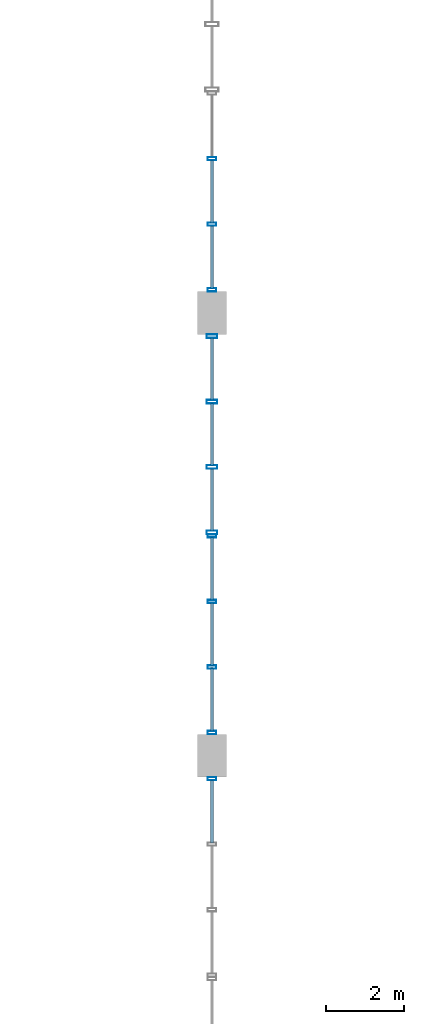
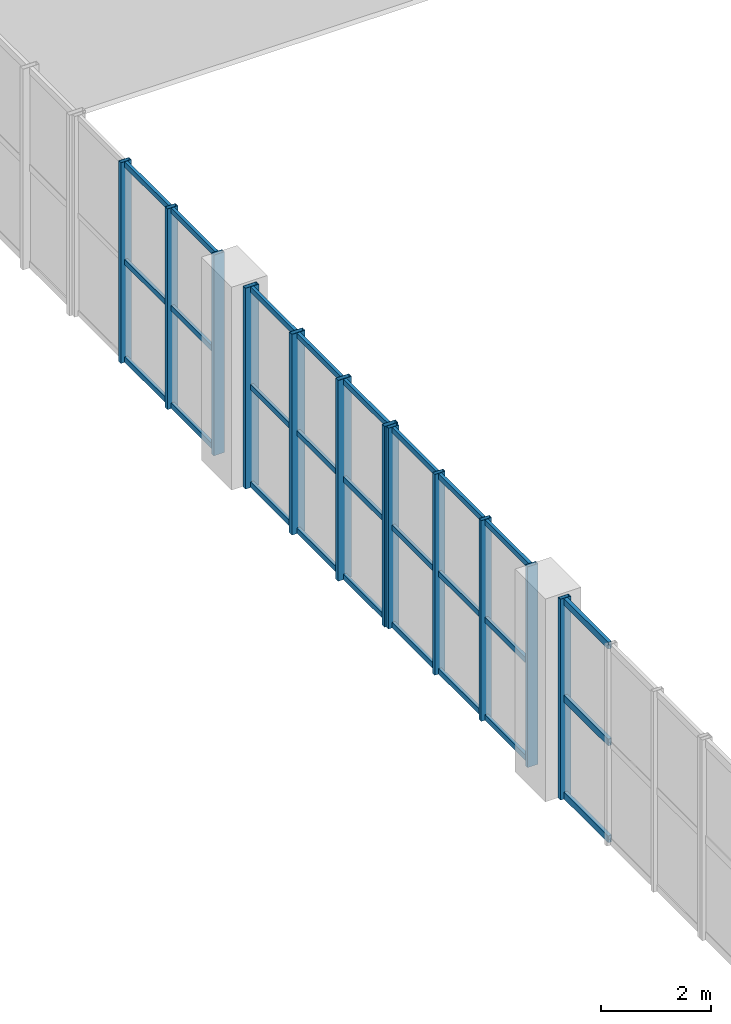
# One storey, part 38 of 80: 39 members, 4 elements without a shape of their own.
"""IFC4 building model written with IfcOpenShell, lengths in metres."""

from ifc_helpers import new_model, si_unit, direction, frame, origin, origin_2d, place, context, subcontext, project, spatial, hollow_rectangle, extrude, material, layer, layer_set, material_profile, profile_set, type_object, element, aggregate, save


model = new_model("IFC4")

# Units and contexts
model_context = context("Model", 3, precision=1e-05, world=origin(), true_north=direction((0.0, 1.0)))
body_context = subcontext(model_context, "Body", "Model", "MODEL_VIEW")
ifc_project = project(units=[si_unit("LENGTHUNIT", "METRE"), si_unit("AREAUNIT", "SQUARE_METRE"), si_unit("VOLUMEUNIT", "CUBIC_METRE"), si_unit("PLANEANGLEUNIT", "RADIAN"), si_unit("MASSUNIT", "GRAM", prefix="KILO"), si_unit("POWERUNIT", "WATT"), si_unit("THERMODYNAMICTEMPERATUREUNIT", "KELVIN")], contexts=[model_context])

# Site, building, storey
site_placement = place(None, origin())
site = spatial("IfcSite", under=ifc_project, at=site_placement, CompositionType="ELEMENT")
building_placement = place(site_placement, origin())
building = spatial("IfcBuilding", under=site, at=building_placement, Name="Kelmbourne Parkland Aquatics Centre", CompositionType="ELEMENT")
storey_placement = place(building_placement, frame((0.0, 0.0, 10.199951171875)))
storey = spatial("IfcBuildingStorey", under=building, at=storey_placement, Name="L02", CompositionType="ELEMENT", Elevation=10.199951171875)

# Curtain wall, member
ifc_material = material(Name="Thermally broken anodised aluminium framing", Category="aluminium")
ifc_layer_1 = layer(ifc_material, 0.179931640625)
ifc_layer_set_1 = layer_set([ifc_layer_1], Name="Thermally broken anodised aluminium framing")
curtain_wall_type_1 = type_object("IfcCurtainWallType", Name="CW-19", PredefinedType="NOTDEFINED", material=ifc_layer_set_1)
curtain_wall_1_placement = place(storey_placement, origin())
curtain_wall_1 = element("IfcCurtainWall", 1, at=curtain_wall_1_placement, inside=storey, type_object=curtain_wall_type_1, Name="Wave-hall clerestory curtain wall CW-L02-067", PredefinedType="NOTDEFINED")
ifc_material_profile_1 = material_profile(ifc_material, hollow_rectangle(XDim=0.0849609375, YDim=0.219970703125, WallThickness=0.0048828125, at=origin_2d()), Name="CW-M 85x220")
ifc_profile_set_1 = profile_set([ifc_material_profile_1], Name="Thermally broken anodised aluminium framing")
member_type_1 = type_object("IfcMemberType", Name="MB-MUL-3", PredefinedType="MULLION", material=ifc_profile_set_1)
member_1_placement = place(storey_placement, frame((128.0, 80.005615234375, 0.0), z_axis=(0.0, 0.0, 1.0), x_axis=(0.0, 1.0, 0.0)))
member_1 = element("IfcMember", 2, at=member_1_placement, type_object=member_type_1, Name="CW-L02-067 mullion 3", PredefinedType="MULLION", context=body_context, shape_type="SweptSolid", body=[
    extrude(hollow_rectangle(XDim=0.0849609375, YDim=0.219970703125, WallThickness=0.0048828125, at=origin_2d()), origin(), (0.0, 0.0, 1.0), 4.449951171875),
])

# Curtain wall, members
ifc_layer_2 = layer(ifc_material, 0.179931640625)
ifc_layer_set_2 = layer_set([ifc_layer_2], Name="Thermally broken anodised aluminium framing")
curtain_wall_type_2 = type_object("IfcCurtainWallType", Name="CW-24", PredefinedType="NOTDEFINED", material=ifc_layer_set_2)
curtain_wall_2_placement = place(storey_placement, origin())
curtain_wall_2 = element("IfcCurtainWall", 3, at=curtain_wall_2_placement, inside=storey, type_object=curtain_wall_type_2, Name="Wave-hall clerestory curtain wall CW-L02-072", PredefinedType="NOTDEFINED")
member_2_placement = place(storey_placement, frame((128.0, 81.194580078125, 0.0), z_axis=(0.0, 0.0, 1.0), x_axis=(0.0, 1.0, 0.0)))
member_2 = element("IfcMember", 4, at=member_2_placement, type_object=member_type_1, Name="CW-L02-072 mullion 0", PredefinedType="MULLION", context=body_context, shape_type="SweptSolid", body=[
    extrude(hollow_rectangle(XDim=0.0849609375, YDim=0.219970703125, WallThickness=0.0048828125, at=origin_2d()), origin(), (0.0, 0.0, 1.0), 4.449951171875),
])
member_3_placement = place(storey_placement, frame((128.0, 82.882080078125, 0.0), z_axis=(0.0, 0.0, 1.0), x_axis=(0.0, 1.0, 0.0)))
member_3 = element("IfcMember", 5, at=member_3_placement, type_object=member_type_1, Name="CW-L02-072 mullion 1", PredefinedType="MULLION", context=body_context, shape_type="SweptSolid", body=[
    extrude(hollow_rectangle(XDim=0.0849609375, YDim=0.219970703125, WallThickness=0.0048828125, at=origin_2d()), origin(), (0.0, 0.0, 1.0), 4.449951171875),
])
member_4_placement = place(storey_placement, frame((128.0, 84.56982421875, 0.0), z_axis=(0.0, 0.0, 1.0), x_axis=(0.0, 1.0, 0.0)))
member_4 = element("IfcMember", 6, at=member_4_placement, type_object=member_type_1, Name="CW-L02-072 mullion 2", PredefinedType="MULLION", context=body_context, shape_type="SweptSolid", body=[
    extrude(hollow_rectangle(XDim=0.0849609375, YDim=0.219970703125, WallThickness=0.0048828125, at=origin_2d()), origin(), (0.0, 0.0, 1.0), 4.449951171875),
])
member_5_placement = place(storey_placement, frame((128.0, 86.257568359375, 0.0), z_axis=(0.0, 0.0, 1.0), x_axis=(0.0, 1.0, 0.0)))
member_5 = element("IfcMember", 7, at=member_5_placement, type_object=member_type_1, Name="CW-L02-072 mullion 3", PredefinedType="MULLION", context=body_context, shape_type="SweptSolid", body=[
    extrude(hollow_rectangle(XDim=0.0849609375, YDim=0.219970703125, WallThickness=0.0048828125, at=origin_2d()), origin(), (0.0, 0.0, 1.0), 4.449951171875),
])

ifc_layer_3 = layer(ifc_material, 0.179931640625)
ifc_layer_set_3 = layer_set([ifc_layer_3], Name="Thermally broken anodised aluminium framing")
curtain_wall_type_3 = type_object("IfcCurtainWallType", Name="CW-15", PredefinedType="NOTDEFINED", material=ifc_layer_set_3)
curtain_wall_3_placement = place(storey_placement, origin())
curtain_wall_3 = element("IfcCurtainWall", 8, at=curtain_wall_3_placement, inside=storey, type_object=curtain_wall_type_3, Name="Wave-hall clerestory curtain wall CW-L02-087", PredefinedType="NOTDEFINED")
member_6_placement = place(storey_placement, frame((128.0, 92.594482421875, 0.0), z_axis=(0.0, 0.0, 1.0), x_axis=(0.0, 1.0, 0.0)))
member_6 = element("IfcMember", 9, at=member_6_placement, type_object=member_type_1, Name="CW-L02-087 mullion 0", PredefinedType="MULLION", context=body_context, shape_type="SweptSolid", body=[
    extrude(hollow_rectangle(XDim=0.0849609375, YDim=0.219970703125, WallThickness=0.0048828125, at=origin_2d()), origin(), (0.0, 0.0, 1.0), 4.449951171875),
])
member_7_placement = place(storey_placement, frame((128.0, 94.2822265625, 0.0), z_axis=(0.0, 0.0, 1.0), x_axis=(0.0, 1.0, 0.0)))
member_7 = element("IfcMember", 10, at=member_7_placement, type_object=member_type_1, Name="CW-L02-087 mullion 1", PredefinedType="MULLION", context=body_context, shape_type="SweptSolid", body=[
    extrude(hollow_rectangle(XDim=0.0849609375, YDim=0.219970703125, WallThickness=0.0048828125, at=origin_2d()), origin(), (0.0, 0.0, 1.0), 4.449951171875),
])
member_8_placement = place(storey_placement, frame((128.0, 95.9697265625, 0.0), z_axis=(0.0, 0.0, 1.0), x_axis=(0.0, 1.0, 0.0)))
member_8 = element("IfcMember", 11, at=member_8_placement, type_object=member_type_1, Name="CW-L02-087 mullion 2", PredefinedType="MULLION", context=body_context, shape_type="SweptSolid", body=[
    extrude(hollow_rectangle(XDim=0.0849609375, YDim=0.219970703125, WallThickness=0.0048828125, at=origin_2d()), origin(), (0.0, 0.0, 1.0), 4.449951171875),
])

ifc_layer_4 = layer(ifc_material, 0.179931640625)
ifc_layer_set_4 = layer_set([ifc_layer_4], Name="Thermally broken anodised aluminium framing")
curtain_wall_type_4 = type_object("IfcCurtainWallType", Name="CW-06", PredefinedType="NOTDEFINED", material=ifc_layer_set_4)
curtain_wall_4_placement = place(storey_placement, origin())
curtain_wall_4 = element("IfcCurtainWall", 12, at=curtain_wall_4_placement, inside=storey, type_object=curtain_wall_type_4, Name="Wave-hall clerestory curtain wall CW-L02-078", PredefinedType="NOTDEFINED")
ifc_material_profile_2 = material_profile(ifc_material, hollow_rectangle(XDim=0.094970703125, YDim=0.280029296875, WallThickness=0.005615234375, at=origin_2d()), Name="CW-M 95x280")
ifc_profile_set_2 = profile_set([ifc_material_profile_2], Name="Thermally broken anodised aluminium framing")
member_type_2 = type_object("IfcMemberType", Name="MB-MUL-4", PredefinedType="MULLION", material=ifc_profile_set_2)
member_9_placement = place(storey_placement, frame((128.0, 86.347412109375, 0.0), z_axis=(0.0, 0.0, 1.0), x_axis=(0.0, 1.0, 0.0)))
member_9 = element("IfcMember", 13, at=member_9_placement, type_object=member_type_2, Name="CW-L02-078 mullion 0", PredefinedType="MULLION", context=body_context, shape_type="SweptSolid", body=[
    extrude(hollow_rectangle(XDim=0.094970703125, YDim=0.280029296875, WallThickness=0.005615234375, at=origin_2d()), origin(), (0.0, 0.0, 1.0), 4.449951171875),
])
member_10_placement = place(storey_placement, frame((128.0, 88.03173828125, 0.0), z_axis=(0.0, 0.0, 1.0), x_axis=(0.0, 1.0, 0.0)))
member_10 = element("IfcMember", 14, at=member_10_placement, type_object=member_type_2, Name="CW-L02-078 mullion 1", PredefinedType="MULLION", context=body_context, shape_type="SweptSolid", body=[
    extrude(hollow_rectangle(XDim=0.094970703125, YDim=0.280029296875, WallThickness=0.005615234375, at=origin_2d()), origin(), (0.0, 0.0, 1.0), 4.449951171875),
])
member_11_placement = place(storey_placement, frame((128.0, 89.71630859375, 0.0), z_axis=(0.0, 0.0, 1.0), x_axis=(0.0, 1.0, 0.0)))
member_11 = element("IfcMember", 15, at=member_11_placement, type_object=member_type_2, Name="CW-L02-078 mullion 2", PredefinedType="MULLION", context=body_context, shape_type="SweptSolid", body=[
    extrude(hollow_rectangle(XDim=0.094970703125, YDim=0.280029296875, WallThickness=0.005615234375, at=origin_2d()), origin(), (0.0, 0.0, 1.0), 4.449951171875),
])
member_12_placement = place(storey_placement, frame((128.0, 91.400390625, 0.0), z_axis=(0.0, 0.0, 1.0), x_axis=(0.0, 1.0, 0.0)))
member_12 = element("IfcMember", 16, at=member_12_placement, type_object=member_type_2, Name="CW-L02-078 mullion 3", PredefinedType="MULLION", context=body_context, shape_type="SweptSolid", body=[
    extrude(hollow_rectangle(XDim=0.094970703125, YDim=0.280029296875, WallThickness=0.005615234375, at=origin_2d()), origin(), (0.0, 0.0, 1.0), 4.449951171875),
])

# Member
ifc_material_profile_3 = material_profile(ifc_material, hollow_rectangle(XDim=0.06494140625, YDim=0.1201171875, WallThickness=0.00341796875, at=origin_2d()), Name="CW-T 65x120")
ifc_profile_set_3 = profile_set([ifc_material_profile_3], Name="Thermally broken anodised aluminium framing")
member_type_3 = type_object("IfcMemberType", Name="MB-TRN-1", PredefinedType="USERDEFINED", material=ifc_profile_set_3)
member_13_placement = place(storey_placement, frame((128.0, 81.23291015625, 0.06298828125), z_axis=(0.0, 1.0, 0.0), x_axis=(-1.0, 0.0, 0.0)))
member_13 = element("IfcMember", 17, at=member_13_placement, type_object=member_type_3, Name="CW-L02-072 transom 0-0", ObjectType="TRANSOM", PredefinedType="USERDEFINED", context=body_context, shape_type="SweptSolid", body=[
    extrude(hollow_rectangle(XDim=0.06494140625, YDim=0.1201171875, WallThickness=0.00341796875, at=origin_2d()), origin(), (0.0, 0.0, 1.0), 1.61083984375),
])

member_14_placement = place(storey_placement, frame((128.0, 82.920654296875, 0.06298828125), z_axis=(0.0, 1.0, 0.0), x_axis=(-1.0, 0.0, 0.0)))
member_14 = element("IfcMember", 18, at=member_14_placement, type_object=member_type_3, Name="CW-L02-072 transom 0-1", ObjectType="TRANSOM", PredefinedType="USERDEFINED", context=body_context, shape_type="SweptSolid", body=[
    extrude(hollow_rectangle(XDim=0.06494140625, YDim=0.1201171875, WallThickness=0.00341796875, at=origin_2d()), origin(), (0.0, 0.0, 1.0), 1.610595703125),
])

member_15_placement = place(storey_placement, frame((128.0, 84.6083984375, 0.06298828125), z_axis=(0.0, 1.0, 0.0), x_axis=(-1.0, 0.0, 0.0)))
member_15 = element("IfcMember", 19, at=member_15_placement, type_object=member_type_3, Name="CW-L02-072 transom 0-2", ObjectType="TRANSOM", PredefinedType="USERDEFINED", context=body_context, shape_type="SweptSolid", body=[
    extrude(hollow_rectangle(XDim=0.06494140625, YDim=0.1201171875, WallThickness=0.00341796875, at=origin_2d()), origin(), (0.0, 0.0, 1.0), 1.610595703125),
])

member_16_placement = place(storey_placement, frame((128.0, 81.23291015625, 2.22509765625), z_axis=(0.0, 1.0, 0.0), x_axis=(-1.0, 0.0, 0.0)))
member_16 = element("IfcMember", 20, at=member_16_placement, type_object=member_type_3, Name="CW-L02-072 transom 1-0", ObjectType="TRANSOM", PredefinedType="USERDEFINED", context=body_context, shape_type="SweptSolid", body=[
    extrude(hollow_rectangle(XDim=0.06494140625, YDim=0.1201171875, WallThickness=0.00341796875, at=origin_2d()), origin(), (0.0, 0.0, 1.0), 1.61083984375),
])

member_17_placement = place(storey_placement, frame((128.0, 82.920654296875, 2.22509765625), z_axis=(0.0, 1.0, 0.0), x_axis=(-1.0, 0.0, 0.0)))
member_17 = element("IfcMember", 21, at=member_17_placement, type_object=member_type_3, Name="CW-L02-072 transom 1-1", ObjectType="TRANSOM", PredefinedType="USERDEFINED", context=body_context, shape_type="SweptSolid", body=[
    extrude(hollow_rectangle(XDim=0.06494140625, YDim=0.1201171875, WallThickness=0.00341796875, at=origin_2d()), origin(), (0.0, 0.0, 1.0), 1.610595703125),
])

member_18_placement = place(storey_placement, frame((128.0, 84.6083984375, 2.22509765625), z_axis=(0.0, 1.0, 0.0), x_axis=(-1.0, 0.0, 0.0)))
member_18 = element("IfcMember", 22, at=member_18_placement, type_object=member_type_3, Name="CW-L02-072 transom 1-2", ObjectType="TRANSOM", PredefinedType="USERDEFINED", context=body_context, shape_type="SweptSolid", body=[
    extrude(hollow_rectangle(XDim=0.06494140625, YDim=0.1201171875, WallThickness=0.00341796875, at=origin_2d()), origin(), (0.0, 0.0, 1.0), 1.610595703125),
])

member_19_placement = place(storey_placement, frame((128.0, 81.23291015625, 4.386962890625), z_axis=(0.0, 1.0, 0.0), x_axis=(-1.0, 0.0, 0.0)))
member_19 = element("IfcMember", 23, at=member_19_placement, type_object=member_type_3, Name="CW-L02-072 transom 2-0", ObjectType="TRANSOM", PredefinedType="USERDEFINED", context=body_context, shape_type="SweptSolid", body=[
    extrude(hollow_rectangle(XDim=0.06494140625, YDim=0.1201171875, WallThickness=0.00341796875, at=origin_2d()), origin(), (0.0, 0.0, 1.0), 1.61083984375),
])

member_20_placement = place(storey_placement, frame((128.0, 82.920654296875, 4.386962890625), z_axis=(0.0, 1.0, 0.0), x_axis=(-1.0, 0.0, 0.0)))
member_20 = element("IfcMember", 24, at=member_20_placement, type_object=member_type_3, Name="CW-L02-072 transom 2-1", ObjectType="TRANSOM", PredefinedType="USERDEFINED", context=body_context, shape_type="SweptSolid", body=[
    extrude(hollow_rectangle(XDim=0.06494140625, YDim=0.1201171875, WallThickness=0.00341796875, at=origin_2d()), origin(), (0.0, 0.0, 1.0), 1.610595703125),
])

member_21_placement = place(storey_placement, frame((128.0, 84.6083984375, 4.386962890625), z_axis=(0.0, 1.0, 0.0), x_axis=(-1.0, 0.0, 0.0)))
member_21 = element("IfcMember", 25, at=member_21_placement, type_object=member_type_3, Name="CW-L02-072 transom 2-2", ObjectType="TRANSOM", PredefinedType="USERDEFINED", context=body_context, shape_type="SweptSolid", body=[
    extrude(hollow_rectangle(XDim=0.06494140625, YDim=0.1201171875, WallThickness=0.00341796875, at=origin_2d()), origin(), (0.0, 0.0, 1.0), 1.610595703125),
])

aggregate(curtain_wall_2, [member_2, member_3, member_4, member_5, member_13, member_14, member_15, member_16, member_17, member_18, member_19, member_20, member_21])

member_22_placement = place(storey_placement, frame((128.0, 86.39111328125, 0.06298828125), z_axis=(0.0, 1.0, 0.0), x_axis=(-1.0, 0.0, 0.0)))
member_22 = element("IfcMember", 26, at=member_22_placement, type_object=member_type_3, Name="CW-L02-078 transom 0-0", ObjectType="TRANSOM", PredefinedType="USERDEFINED", context=body_context, shape_type="SweptSolid", body=[
    extrude(hollow_rectangle(XDim=0.06494140625, YDim=0.1201171875, WallThickness=0.00341796875, at=origin_2d()), origin(), (0.0, 0.0, 1.0), 1.59716796875),
])

member_23_placement = place(storey_placement, frame((128.0, 88.0751953125, 0.06298828125), z_axis=(0.0, 1.0, 0.0), x_axis=(-1.0, 0.0, 0.0)))
member_23 = element("IfcMember", 27, at=member_23_placement, type_object=member_type_3, Name="CW-L02-078 transom 0-1", ObjectType="TRANSOM", PredefinedType="USERDEFINED", context=body_context, shape_type="SweptSolid", body=[
    extrude(hollow_rectangle(XDim=0.06494140625, YDim=0.1201171875, WallThickness=0.00341796875, at=origin_2d()), origin(), (0.0, 0.0, 1.0), 1.597412109375),
])

member_24_placement = place(storey_placement, frame((128.0, 89.759765625, 0.06298828125), z_axis=(0.0, 1.0, 0.0), x_axis=(-1.0, 0.0, 0.0)))
member_24 = element("IfcMember", 28, at=member_24_placement, type_object=member_type_3, Name="CW-L02-078 transom 0-2", ObjectType="TRANSOM", PredefinedType="USERDEFINED", context=body_context, shape_type="SweptSolid", body=[
    extrude(hollow_rectangle(XDim=0.06494140625, YDim=0.1201171875, WallThickness=0.00341796875, at=origin_2d()), origin(), (0.0, 0.0, 1.0), 1.59716796875),
])

member_25_placement = place(storey_placement, frame((128.0, 86.39111328125, 2.22509765625), z_axis=(0.0, 1.0, 0.0), x_axis=(-1.0, 0.0, 0.0)))
member_25 = element("IfcMember", 29, at=member_25_placement, type_object=member_type_3, Name="CW-L02-078 transom 1-0", ObjectType="TRANSOM", PredefinedType="USERDEFINED", context=body_context, shape_type="SweptSolid", body=[
    extrude(hollow_rectangle(XDim=0.06494140625, YDim=0.1201171875, WallThickness=0.00341796875, at=origin_2d()), origin(), (0.0, 0.0, 1.0), 1.59716796875),
])

member_26_placement = place(storey_placement, frame((128.0, 88.0751953125, 2.22509765625), z_axis=(0.0, 1.0, 0.0), x_axis=(-1.0, 0.0, 0.0)))
member_26 = element("IfcMember", 30, at=member_26_placement, type_object=member_type_3, Name="CW-L02-078 transom 1-1", ObjectType="TRANSOM", PredefinedType="USERDEFINED", context=body_context, shape_type="SweptSolid", body=[
    extrude(hollow_rectangle(XDim=0.06494140625, YDim=0.1201171875, WallThickness=0.00341796875, at=origin_2d()), origin(), (0.0, 0.0, 1.0), 1.597412109375),
])

member_27_placement = place(storey_placement, frame((128.0, 89.759765625, 2.22509765625), z_axis=(0.0, 1.0, 0.0), x_axis=(-1.0, 0.0, 0.0)))
member_27 = element("IfcMember", 31, at=member_27_placement, type_object=member_type_3, Name="CW-L02-078 transom 1-2", ObjectType="TRANSOM", PredefinedType="USERDEFINED", context=body_context, shape_type="SweptSolid", body=[
    extrude(hollow_rectangle(XDim=0.06494140625, YDim=0.1201171875, WallThickness=0.00341796875, at=origin_2d()), origin(), (0.0, 0.0, 1.0), 1.59716796875),
])

member_28_placement = place(storey_placement, frame((128.0, 86.39111328125, 4.386962890625), z_axis=(0.0, 1.0, 0.0), x_axis=(-1.0, 0.0, 0.0)))
member_28 = element("IfcMember", 32, at=member_28_placement, type_object=member_type_3, Name="CW-L02-078 transom 2-0", ObjectType="TRANSOM", PredefinedType="USERDEFINED", context=body_context, shape_type="SweptSolid", body=[
    extrude(hollow_rectangle(XDim=0.06494140625, YDim=0.1201171875, WallThickness=0.00341796875, at=origin_2d()), origin(), (0.0, 0.0, 1.0), 1.59716796875),
])

member_29_placement = place(storey_placement, frame((128.0, 88.0751953125, 4.386962890625), z_axis=(0.0, 1.0, 0.0), x_axis=(-1.0, 0.0, 0.0)))
member_29 = element("IfcMember", 33, at=member_29_placement, type_object=member_type_3, Name="CW-L02-078 transom 2-1", ObjectType="TRANSOM", PredefinedType="USERDEFINED", context=body_context, shape_type="SweptSolid", body=[
    extrude(hollow_rectangle(XDim=0.06494140625, YDim=0.1201171875, WallThickness=0.00341796875, at=origin_2d()), origin(), (0.0, 0.0, 1.0), 1.597412109375),
])

member_30_placement = place(storey_placement, frame((128.0, 89.759765625, 4.386962890625), z_axis=(0.0, 1.0, 0.0), x_axis=(-1.0, 0.0, 0.0)))
member_30 = element("IfcMember", 34, at=member_30_placement, type_object=member_type_3, Name="CW-L02-078 transom 2-2", ObjectType="TRANSOM", PredefinedType="USERDEFINED", context=body_context, shape_type="SweptSolid", body=[
    extrude(hollow_rectangle(XDim=0.06494140625, YDim=0.1201171875, WallThickness=0.00341796875, at=origin_2d()), origin(), (0.0, 0.0, 1.0), 1.59716796875),
])

aggregate(curtain_wall_4, [member_9, member_10, member_11, member_12, member_22, member_23, member_24, member_25, member_26, member_27, member_28, member_29, member_30])

member_31_placement = place(storey_placement, frame((128.0, 92.633056640625, 0.06298828125), z_axis=(0.0, 1.0, 0.0), x_axis=(-1.0, 0.0, 0.0)))
member_31 = element("IfcMember", 35, at=member_31_placement, type_object=member_type_3, Name="CW-L02-087 transom 0-0", ObjectType="TRANSOM", PredefinedType="USERDEFINED", context=body_context, shape_type="SweptSolid", body=[
    extrude(hollow_rectangle(XDim=0.06494140625, YDim=0.1201171875, WallThickness=0.00341796875, at=origin_2d()), origin(), (0.0, 0.0, 1.0), 1.610595703125),
])

member_32_placement = place(storey_placement, frame((128.0, 94.32080078125, 0.06298828125), z_axis=(0.0, 1.0, 0.0), x_axis=(-1.0, 0.0, 0.0)))
member_32 = element("IfcMember", 36, at=member_32_placement, type_object=member_type_3, Name="CW-L02-087 transom 0-1", ObjectType="TRANSOM", PredefinedType="USERDEFINED", context=body_context, shape_type="SweptSolid", body=[
    extrude(hollow_rectangle(XDim=0.06494140625, YDim=0.1201171875, WallThickness=0.00341796875, at=origin_2d()), origin(), (0.0, 0.0, 1.0), 1.610595703125),
])

member_33_placement = place(storey_placement, frame((128.0, 92.633056640625, 2.22509765625), z_axis=(0.0, 1.0, 0.0), x_axis=(-1.0, 0.0, 0.0)))
member_33 = element("IfcMember", 37, at=member_33_placement, type_object=member_type_3, Name="CW-L02-087 transom 1-0", ObjectType="TRANSOM", PredefinedType="USERDEFINED", context=body_context, shape_type="SweptSolid", body=[
    extrude(hollow_rectangle(XDim=0.06494140625, YDim=0.1201171875, WallThickness=0.00341796875, at=origin_2d()), origin(), (0.0, 0.0, 1.0), 1.610595703125),
])

member_34_placement = place(storey_placement, frame((128.0, 94.32080078125, 2.22509765625), z_axis=(0.0, 1.0, 0.0), x_axis=(-1.0, 0.0, 0.0)))
member_34 = element("IfcMember", 38, at=member_34_placement, type_object=member_type_3, Name="CW-L02-087 transom 1-1", ObjectType="TRANSOM", PredefinedType="USERDEFINED", context=body_context, shape_type="SweptSolid", body=[
    extrude(hollow_rectangle(XDim=0.06494140625, YDim=0.1201171875, WallThickness=0.00341796875, at=origin_2d()), origin(), (0.0, 0.0, 1.0), 1.610595703125),
])

member_35_placement = place(storey_placement, frame((128.0, 92.633056640625, 4.386962890625), z_axis=(0.0, 1.0, 0.0), x_axis=(-1.0, 0.0, 0.0)))
member_35 = element("IfcMember", 39, at=member_35_placement, type_object=member_type_3, Name="CW-L02-087 transom 2-0", ObjectType="TRANSOM", PredefinedType="USERDEFINED", context=body_context, shape_type="SweptSolid", body=[
    extrude(hollow_rectangle(XDim=0.06494140625, YDim=0.1201171875, WallThickness=0.00341796875, at=origin_2d()), origin(), (0.0, 0.0, 1.0), 1.610595703125),
])

member_36_placement = place(storey_placement, frame((128.0, 94.32080078125, 4.386962890625), z_axis=(0.0, 1.0, 0.0), x_axis=(-1.0, 0.0, 0.0)))
member_36 = element("IfcMember", 40, at=member_36_placement, type_object=member_type_3, Name="CW-L02-087 transom 2-1", ObjectType="TRANSOM", PredefinedType="USERDEFINED", context=body_context, shape_type="SweptSolid", body=[
    extrude(hollow_rectangle(XDim=0.06494140625, YDim=0.1201171875, WallThickness=0.00341796875, at=origin_2d()), origin(), (0.0, 0.0, 1.0), 1.610595703125),
])

aggregate(curtain_wall_3, [member_6, member_7, member_8, member_31, member_32, member_33, member_34, member_35, member_36])

ifc_material_profile_4 = material_profile(ifc_material, hollow_rectangle(XDim=0.074951171875, YDim=0.14990234375, WallThickness=0.00390625, at=origin_2d()), Name="CW-T 75x150")
ifc_profile_set_4 = profile_set([ifc_material_profile_4], Name="Thermally broken anodised aluminium framing")
member_type_4 = type_object("IfcMemberType", Name="MB-TRN-2", PredefinedType="USERDEFINED", material=ifc_profile_set_4)
member_37_placement = place(storey_placement, frame((128.0, 78.356201171875, 0.078125), z_axis=(0.0, 1.0, 0.0), x_axis=(-1.0, 0.0, 0.0)))
member_37 = element("IfcMember", 41, at=member_37_placement, type_object=member_type_4, Name="CW-L02-067 transom 0-2", ObjectType="TRANSOM", PredefinedType="USERDEFINED", context=body_context, shape_type="SweptSolid", body=[
    extrude(hollow_rectangle(XDim=0.074951171875, YDim=0.14990234375, WallThickness=0.00390625, at=origin_2d()), origin(), (0.0, 0.0, 1.0), 1.61083984375),
])

member_38_placement = place(storey_placement, frame((128.0, 78.356201171875, 2.22509765625), z_axis=(0.0, 1.0, 0.0), x_axis=(-1.0, 0.0, 0.0)))
member_38 = element("IfcMember", 42, at=member_38_placement, type_object=member_type_4, Name="CW-L02-067 transom 1-2", ObjectType="TRANSOM", PredefinedType="USERDEFINED", context=body_context, shape_type="SweptSolid", body=[
    extrude(hollow_rectangle(XDim=0.074951171875, YDim=0.14990234375, WallThickness=0.00390625, at=origin_2d()), origin(), (0.0, 0.0, 1.0), 1.61083984375),
])

member_39_placement = place(storey_placement, frame((128.0, 78.356201171875, 4.3720703125), z_axis=(0.0, 1.0, 0.0), x_axis=(-1.0, 0.0, 0.0)))
member_39 = element("IfcMember", 43, at=member_39_placement, type_object=member_type_4, Name="CW-L02-067 transom 2-2", ObjectType="TRANSOM", PredefinedType="USERDEFINED", context=body_context, shape_type="SweptSolid", body=[
    extrude(hollow_rectangle(XDim=0.074951171875, YDim=0.14990234375, WallThickness=0.00390625, at=origin_2d()), origin(), (0.0, 0.0, 1.0), 1.61083984375),
])

aggregate(curtain_wall_1, [member_1, member_37, member_38, member_39])

save(model, "model.ifc")
